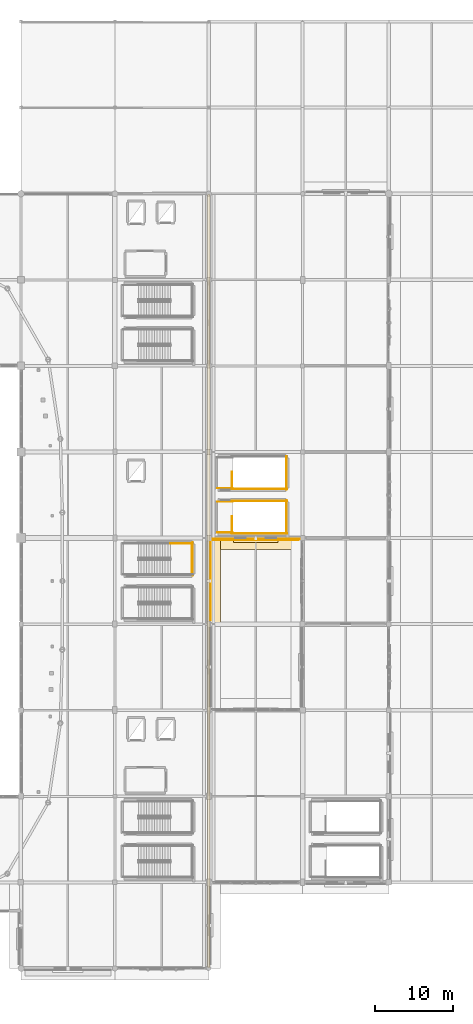
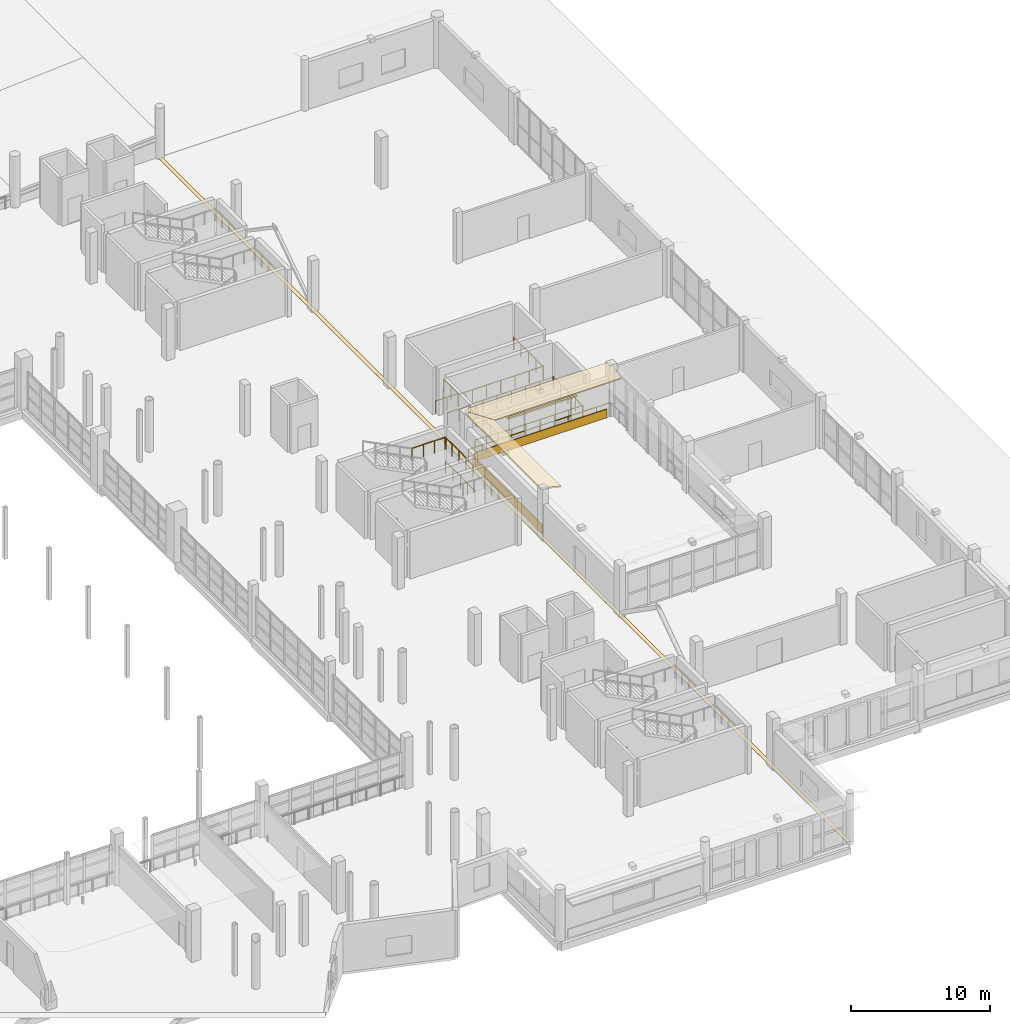
# One storey, part 115 of 118: 14 railings, 6 coverings.
"""IFC4 building model written with IfcOpenShell, lengths in metres."""

from ifc_helpers import new_model, si_unit, direction, frame, origin, origin_2d, place, context, subcontext, project, spatial, polyline, rectangle, circle, outline, extrude, material, layer, layer_set, type_object, element, save


model = new_model("IFC4")

# Units and contexts
model_context = context("Model", 3, precision=1e-05, world=origin(), true_north=direction((0.0, 1.0)))
body_context = subcontext(model_context, "Body", "Model", "MODEL_VIEW")
ifc_project = project(units=[si_unit("LENGTHUNIT", "METRE"), si_unit("AREAUNIT", "SQUARE_METRE"), si_unit("VOLUMEUNIT", "CUBIC_METRE"), si_unit("PLANEANGLEUNIT", "RADIAN"), si_unit("MASSUNIT", "GRAM", prefix="KILO")], contexts=[model_context])

# Site, building, storey
site_placement = place(None, origin())
site = spatial("IfcSite", under=ifc_project, at=site_placement, CompositionType="ELEMENT")
building_placement = place(site_placement, origin())
building = spatial("IfcBuilding", under=site, at=building_placement, Name="Luwafu Chhajja Arena", CompositionType="ELEMENT")
storey_placement = place(building_placement, frame((0.0, 0.0, 10.199951171875)))
storey = spatial("IfcBuildingStorey", under=building, at=storey_placement, Name="L02", CompositionType="ELEMENT", Elevation=10.199951171875)

# Coverings
ifc_material_1 = material(Name="Red laterite sandstone cladding", Category="masonry")
ifc_layer = layer(ifc_material_1, 0.074951171875, Name="Red laterite sandstone cladding")
ifc_layer_set = layer_set([ifc_layer], Name="Red laterite sandstone cladding")
covering_type = type_object("IfcCoveringType", Name="Dressed Red-Laterite Sandstone Cladding", PredefinedType="CLADDING", material=ifc_layer_set)
covering_1_placement = place(storey_placement, frame((164.0, 49.5, -0.02392578125), z_axis=(0.0, 0.0, 1.0), x_axis=(1.0, 0.0, 0.0)))
element("IfcCovering", 1, at=covering_1_placement, inside=storey, type_object=covering_type, Name="L02 Movement Joint MJ02 Flush Threshold Cover Plate 01", PredefinedType="CLADDING", context=body_context, shape_type="SweptSolid", body=[
    extrude(rectangle(XDim=0.320068359375, YDim=98.800048828125, at=origin_2d()), origin(), (0.0, 0.0, 1.0), 0.02392578125),
])
covering_2_placement = place(storey_placement, frame((163.800048828125, 44.0, 4.4599609375), z_axis=(0.242502450825, 0.0, 0.970150793096), x_axis=(0.0, 1.0, 0.0)))
element("IfcCovering", 2, at=covering_2_placement, inside=storey, type_object=covering_type, Name="L02 Continuous Sloped Sandstone Chhajja Eave 0164", PredefinedType="CLADDING", context=body_context, shape_type="SweptSolid", body=[
    extrude(outline(polyline([(0.0, 0.0), (11.0, 0.0), (11.0, -1.731619097341133), (0.0, -1.731619097341133), (0.0, 0.0)])), origin(), (0.0, 0.0, -1.0), 0.1298828125),
])
covering_3_placement = place(storey_placement, frame((164.23193359375, 49.5, 0.0), z_axis=(0.0, 0.0, 1.0), x_axis=(0.0, 1.0, 0.0)))
element("IfcCovering", 3, at=covering_3_placement, inside=storey, type_object=covering_type, Name="L02 Red-Laterite Sandstone Plinth Cladding 064", PredefinedType="CLADDING", context=body_context, shape_type="SweptSolid", body=[
    extrude(rectangle(XDim=9.9599609375, YDim=0.0849609375, at=origin_2d()), origin(), (0.0, 0.0, 1.0), 0.760009765625),
])
covering_4_placement = place(storey_placement, frame((164.0, 55.199951171875, 4.4599609375), z_axis=(0.0, -0.242502450825, 0.970150793096), x_axis=(1.0, 0.0, 0.0)))
element("IfcCovering", 4, at=covering_4_placement, inside=storey, type_object=covering_type, Name="L02 Continuous Sloped Sandstone Chhajja Eave 0167", PredefinedType="CLADDING", context=body_context, shape_type="SweptSolid", body=[
    extrude(outline(polyline([(0.0, 0.0), (12.0, 0.0), (12.0, -1.731619097341133), (0.0, -1.731619097341133), (0.0, 0.0)])), origin(), (0.0, 0.0, -1.0), 0.1298828125),
])
covering_5_placement = place(storey_placement, frame((170.0, 54.76806640625, 0.0), z_axis=(0.0, 0.0, 1.0), x_axis=(1.0, 0.0, 0.0)))
element("IfcCovering", 5, at=covering_5_placement, inside=storey, type_object=covering_type, Name="L02 Red-Laterite Sandstone Plinth Cladding 065", PredefinedType="CLADDING", context=body_context, shape_type="SweptSolid", body=[
    extrude(rectangle(XDim=10.9599609375, YDim=0.0849609375, at=origin_2d()), origin(), (0.0, 0.0, 1.0), 0.760009765625),
])
covering_6_placement = place(storey_placement, frame((170.0, 54.639892578125, 2.93017578125), z_axis=(0.0, 0.0, 1.0), x_axis=(1.0, 0.0, 0.0)))
element("IfcCovering", 6, at=covering_6_placement, inside=storey, type_object=covering_type, Name="L02 Mughal Sandstone Window Chhajja Hood 0061", PredefinedType="CLADDING", context=body_context, shape_type="SweptSolid", body=[
    extrude(rectangle(XDim=5.703369140625, YDim=0.419921875, at=origin_2d()), origin(), (0.0, 0.0, 1.0), 0.139892578125),
])

# Railings
ifc_material_2 = material(Name="Stainless steel balustrade", Category="steel")
railing_type = type_object("IfcRailingType", Name="Stair and Terrace Guard Balustrade 1100", PredefinedType="BALUSTRADE", material=ifc_material_2)
railing_1_placement = place(storey_placement, frame((159.10009765625, 54.300048828125, 2.25)))
element("IfcRailing", 7, at=railing_1_placement, inside=storey, type_object=railing_type, Name="L02 ST-12 stair guard 4", PredefinedType="BALUSTRADE", context=body_context, shape_type="SweptSolid", body=[
    extrude(circle(Radius=0.02392578125, at=origin_2d()), frame((0.0, 0.0, 1.076171875), z_axis=(1.0, 0.0, 0.0), x_axis=(0.0, 1.0, 0.0)), (0.0, 0.0, 1.0), 2.7998046875),
    extrude(circle(Radius=0.02099609375, at=origin_2d()), origin(), (0.0, 0.0, 1.0), 1.052001953125),
    extrude(circle(Radius=0.02099609375, at=origin_2d()), frame((0.933349609375, 0.0, 0.0)), (0.0, 0.0, 1.0), 1.052001953125),
    extrude(circle(Radius=0.02099609375, at=origin_2d()), frame((1.866455078125, 0.0, 0.0)), (0.0, 0.0, 1.0), 1.052001953125),
    extrude(circle(Radius=0.02099609375, at=origin_2d()), frame((2.7998046875, 0.0, 0.0)), (0.0, 0.0, 1.0), 1.052001953125),
])
railing_2_placement = place(storey_placement, frame((161.85009765625, 50.31005859375, 2.25)))
element("IfcRailing", 8, at=railing_2_placement, inside=storey, type_object=railing_type, Name="L02 ST-12 stair guard 5", PredefinedType="BALUSTRADE", context=body_context, shape_type="SweptSolid", body=[
    extrude(circle(Radius=0.02392578125, at=origin_2d()), frame((0.0, 0.0, 1.076171875), z_axis=(0.0, 1.0, 0.0), x_axis=(-1.0, 0.0, 0.0)), (0.0, 0.0, 1.0), 4.0400390625),
    extrude(circle(Radius=0.02099609375, at=origin_2d()), origin(), (0.0, 0.0, 1.0), 1.052001953125),
    extrude(circle(Radius=0.02099609375, at=origin_2d()), frame((0.0, 1.010009765625, 0.0)), (0.0, 0.0, 1.0), 1.052001953125),
    extrude(circle(Radius=0.02099609375, at=origin_2d()), frame((0.0, 2.02001953125, 0.0)), (0.0, 0.0, 1.0), 1.052001953125),
    extrude(circle(Radius=0.02099609375, at=origin_2d()), frame((0.0, 3.030029296875, 0.0)), (0.0, 0.0, 1.0), 1.052001953125),
    extrude(circle(Radius=0.02099609375, at=origin_2d()), frame((0.0, 4.0400390625, 0.0)), (0.0, 0.0, 1.0), 1.052001953125),
])
railing_3_placement = place(storey_placement, frame((161.949951171875, 50.2099609375, 0.0)))
element("IfcRailing", 9, at=railing_3_placement, inside=storey, type_object=railing_type, Name="L02 ST-12 stair guard 12", PredefinedType="BALUSTRADE", context=body_context, shape_type="SweptSolid", body=[
    extrude(circle(Radius=0.02392578125, at=origin_2d()), frame((0.0, 0.0, 1.076171875), z_axis=(0.0, 1.0, 0.0), x_axis=(-1.0, 0.0, 0.0)), (0.0, 0.0, 1.0), 4.239990234375),
    extrude(circle(Radius=0.02099609375, at=origin_2d()), origin(), (0.0, 0.0, 1.0), 1.052001953125),
    extrude(circle(Radius=0.02099609375, at=origin_2d()), frame((0.0, 1.06005859375, 0.0)), (0.0, 0.0, 1.0), 1.052001953125),
    extrude(circle(Radius=0.02099609375, at=origin_2d()), frame((0.0, 2.1201171875, 0.0)), (0.0, 0.0, 1.0), 1.052001953125),
    extrude(circle(Radius=0.02099609375, at=origin_2d()), frame((0.0, 3.179931640625, 0.0)), (0.0, 0.0, 1.0), 1.052001953125),
    extrude(circle(Radius=0.02099609375, at=origin_2d()), frame((0.0, 4.239990234375, 0.0)), (0.0, 0.0, 1.0), 1.052001953125),
])
railing_4_placement = place(storey_placement, frame((166.969970703125, 55.64990234375, 0.0)))
element("IfcRailing", 10, at=railing_4_placement, inside=storey, type_object=railing_type, Name="L02 ST-19 top well guard 1", PredefinedType="BALUSTRADE", context=body_context, shape_type="SweptSolid", body=[
    extrude(circle(Radius=0.02392578125, at=origin_2d()), frame((0.0, 0.0, 1.076171875), z_axis=(0.0, 1.0, 0.0), x_axis=(-1.0, 0.0, 0.0)), (0.0, 0.0, 1.0), 2.1201171875),
    extrude(circle(Radius=0.02099609375, at=origin_2d()), origin(), (0.0, 0.0, 1.0), 1.052001953125),
    extrude(circle(Radius=0.02099609375, at=origin_2d()), frame((0.0, 1.06005859375, 0.0)), (0.0, 0.0, 1.0), 1.052001953125),
    extrude(circle(Radius=0.02099609375, at=origin_2d()), frame((0.0, 2.1201171875, 0.0)), (0.0, 0.0, 1.0), 1.052001953125),
])
for number, where, name in (
    (11, (166.919921875, 55.60009765625, 0.0), "L02 ST-19 top well guard 2"),
    (12, (166.919921875, 59.739990234375, 0.0), "L02 ST-19 top well guard 3"),
):
    element("IfcRailing", number, at=place(storey_placement, frame(where)), inside=storey, type_object=railing_type, Name=name, PredefinedType="BALUSTRADE", context=body_context, shape_type="SweptSolid", body=[
        extrude(circle(Radius=0.02392578125, at=origin_2d()), frame((0.0, 0.0, 1.076171875), z_axis=(1.0, 0.0, 0.0), x_axis=(0.0, 1.0, 0.0)), (0.0, 0.0, 1.0), 7.080078125),
        extrude(circle(Radius=0.02099609375, at=origin_2d()), origin(), (0.0, 0.0, 1.0), 1.052001953125),
        extrude(circle(Radius=0.02099609375, at=origin_2d()), frame((1.179931640625, 0.0, 0.0)), (0.0, 0.0, 1.0), 1.052001953125),
        extrude(circle(Radius=0.02099609375, at=origin_2d()), frame((2.360107421875, 0.0, 0.0)), (0.0, 0.0, 1.0), 1.052001953125),
        extrude(circle(Radius=0.02099609375, at=origin_2d()), frame((3.5400390625, 0.0, 0.0)), (0.0, 0.0, 1.0), 1.052001953125),
        extrude(circle(Radius=0.02099609375, at=origin_2d()), frame((4.719970703125, 0.0, 0.0)), (0.0, 0.0, 1.0), 1.052001953125),
        extrude(circle(Radius=0.02099609375, at=origin_2d()), frame((5.900146484375, 0.0, 0.0)), (0.0, 0.0, 1.0), 1.052001953125),
        extrude(circle(Radius=0.02099609375, at=origin_2d()), frame((7.080078125, 0.0, 0.0)), (0.0, 0.0, 1.0), 1.052001953125),
    ])
railing_5_placement = place(storey_placement, frame((173.949951171875, 55.550048828125, 0.0)))
element("IfcRailing", 13, at=railing_5_placement, inside=storey, type_object=railing_type, Name="L02 ST-19 top well guard 4", PredefinedType="BALUSTRADE", context=body_context, shape_type="SweptSolid", body=[
    extrude(circle(Radius=0.02392578125, at=origin_2d()), frame((0.0, 0.0, 1.076171875), z_axis=(0.0, 1.0, 0.0), x_axis=(-1.0, 0.0, 0.0)), (0.0, 0.0, 1.0), 4.239990234375),
    extrude(circle(Radius=0.02099609375, at=origin_2d()), origin(), (0.0, 0.0, 1.0), 1.052001953125),
    extrude(circle(Radius=0.02099609375, at=origin_2d()), frame((0.0, 1.06005859375, 0.0)), (0.0, 0.0, 1.0), 1.052001953125),
    extrude(circle(Radius=0.02099609375, at=origin_2d()), frame((0.0, 2.1201171875, 0.0)), (0.0, 0.0, 1.0), 1.052001953125),
    extrude(circle(Radius=0.02099609375, at=origin_2d()), frame((0.0, 3.179931640625, 0.0)), (0.0, 0.0, 1.0), 1.052001953125),
    extrude(circle(Radius=0.02099609375, at=origin_2d()), frame((0.0, 4.239990234375, 0.0)), (0.0, 0.0, 1.0), 1.052001953125),
])
for number, where, name in (
    (14, (165.10009765625, 55.699951171875, 0.0), "L02 ST-19 top well guard 5"),
    (15, (165.10009765625, 59.639892578125, 0.0), "L02 ST-19 top well guard 6"),
):
    element("IfcRailing", number, at=place(storey_placement, frame(where)), inside=storey, type_object=railing_type, Name=name, PredefinedType="BALUSTRADE", context=body_context, shape_type="SweptSolid", body=[
        extrude(circle(Radius=0.02392578125, at=origin_2d()), frame((0.0, 0.0, 1.076171875), z_axis=(1.0, 0.0, 0.0), x_axis=(0.0, 1.0, 0.0)), (0.0, 0.0, 1.0), 1.919921875),
        extrude(circle(Radius=0.02099609375, at=origin_2d()), origin(), (0.0, 0.0, 1.0), 1.052001953125),
        extrude(circle(Radius=0.02099609375, at=origin_2d()), frame((0.9599609375, 0.0, 0.0)), (0.0, 0.0, 1.0), 1.052001953125),
        extrude(circle(Radius=0.02099609375, at=origin_2d()), frame((1.919921875, 0.0, 0.0)), (0.0, 0.0, 1.0), 1.052001953125),
    ])
railing_6_placement = place(storey_placement, frame((166.969970703125, 61.31005859375, 0.0)))
element("IfcRailing", 16, at=railing_6_placement, inside=storey, type_object=railing_type, Name="L02 ST-20 top well guard 1", PredefinedType="BALUSTRADE", context=body_context, shape_type="SweptSolid", body=[
    extrude(circle(Radius=0.02392578125, at=origin_2d()), frame((0.0, 0.0, 1.076171875), z_axis=(0.0, 1.0, 0.0), x_axis=(-1.0, 0.0, 0.0)), (0.0, 0.0, 1.0), 2.119873046875),
    extrude(circle(Radius=0.02099609375, at=origin_2d()), origin(), (0.0, 0.0, 1.0), 1.052001953125),
    extrude(circle(Radius=0.02099609375, at=origin_2d()), frame((0.0, 1.06005859375, 0.0)), (0.0, 0.0, 1.0), 1.052001953125),
    extrude(circle(Radius=0.02099609375, at=origin_2d()), frame((0.0, 2.119873046875, 0.0)), (0.0, 0.0, 1.0), 1.052001953125),
])
railing_7_placement = place(storey_placement, frame((166.919921875, 61.260009765625, 0.0)))
element("IfcRailing", 17, at=railing_7_placement, inside=storey, type_object=railing_type, Name="L02 ST-20 top well guard 2", PredefinedType="BALUSTRADE", context=body_context, shape_type="SweptSolid", body=[
    extrude(circle(Radius=0.02392578125, at=origin_2d()), frame((0.0, 0.0, 1.076171875), z_axis=(1.0, 0.0, 0.0), x_axis=(0.0, 1.0, 0.0)), (0.0, 0.0, 1.0), 7.080078125),
    extrude(circle(Radius=0.02099609375, at=origin_2d()), origin(), (0.0, 0.0, 1.0), 1.052001953125),
    extrude(circle(Radius=0.02099609375, at=origin_2d()), frame((1.179931640625, 0.0, 0.0)), (0.0, 0.0, 1.0), 1.052001953125),
    extrude(circle(Radius=0.02099609375, at=origin_2d()), frame((2.360107421875, 0.0, 0.0)), (0.0, 0.0, 1.0), 1.052001953125),
    extrude(circle(Radius=0.02099609375, at=origin_2d()), frame((3.5400390625, 0.0, 0.0)), (0.0, 0.0, 1.0), 1.052001953125),
    extrude(circle(Radius=0.02099609375, at=origin_2d()), frame((4.719970703125, 0.0, 0.0)), (0.0, 0.0, 1.0), 1.052001953125),
    extrude(circle(Radius=0.02099609375, at=origin_2d()), frame((5.900146484375, 0.0, 0.0)), (0.0, 0.0, 1.0), 1.052001953125),
    extrude(circle(Radius=0.02099609375, at=origin_2d()), frame((7.080078125, 0.0, 0.0)), (0.0, 0.0, 1.0), 1.052001953125),
])
railing_8_placement = place(storey_placement, frame((173.949951171875, 61.2099609375, 0.0)))
element("IfcRailing", 18, at=railing_8_placement, inside=storey, type_object=railing_type, Name="L02 ST-20 top well guard 4", PredefinedType="BALUSTRADE", context=body_context, shape_type="SweptSolid", body=[
    extrude(circle(Radius=0.02392578125, at=origin_2d()), frame((0.0, 0.0, 1.076171875), z_axis=(0.0, 1.0, 0.0), x_axis=(-1.0, 0.0, 0.0)), (0.0, 0.0, 1.0), 4.239990234375),
    extrude(circle(Radius=0.02099609375, at=origin_2d()), origin(), (0.0, 0.0, 1.0), 1.052001953125),
    extrude(circle(Radius=0.02099609375, at=origin_2d()), frame((0.0, 1.06005859375, 0.0)), (0.0, 0.0, 1.0), 1.052001953125),
    extrude(circle(Radius=0.02099609375, at=origin_2d()), frame((0.0, 2.1201171875, 0.0)), (0.0, 0.0, 1.0), 1.052001953125),
    extrude(circle(Radius=0.02099609375, at=origin_2d()), frame((0.0, 3.179931640625, 0.0)), (0.0, 0.0, 1.0), 1.052001953125),
    extrude(circle(Radius=0.02099609375, at=origin_2d()), frame((0.0, 4.239990234375, 0.0)), (0.0, 0.0, 1.0), 1.052001953125),
])
railing_9_placement = place(storey_placement, frame((165.10009765625, 61.360107421875, 0.0)))
element("IfcRailing", 19, at=railing_9_placement, inside=storey, type_object=railing_type, Name="L02 ST-20 top well guard 5", PredefinedType="BALUSTRADE", context=body_context, shape_type="SweptSolid", body=[
    extrude(circle(Radius=0.02392578125, at=origin_2d()), frame((0.0, 0.0, 1.076171875), z_axis=(1.0, 0.0, 0.0), x_axis=(0.0, 1.0, 0.0)), (0.0, 0.0, 1.0), 1.919921875),
    extrude(circle(Radius=0.02099609375, at=origin_2d()), origin(), (0.0, 0.0, 1.0), 1.052001953125),
    extrude(circle(Radius=0.02099609375, at=origin_2d()), frame((0.9599609375, 0.0, 0.0)), (0.0, 0.0, 1.0), 1.052001953125),
    extrude(circle(Radius=0.02099609375, at=origin_2d()), frame((1.919921875, 0.0, 0.0)), (0.0, 0.0, 1.0), 1.052001953125),
])
railing_10_placement = place(storey_placement, frame((175.89990234375, 54.89990234375, 0.0)))
element("IfcRailing", 20, at=railing_10_placement, inside=storey, type_object=railing_type, Name="L02 Podium Terrace Balustrade 0006", PredefinedType="BALUSTRADE", context=body_context, shape_type="SweptSolid", body=[
    extrude(circle(Radius=0.02392578125, at=origin_2d()), frame((0.0, 0.0, 1.09619140625), z_axis=(-1.0, 0.0, 0.0), x_axis=(0.0, -1.0, 0.0)), (0.0, 0.0, 1.0), 11.7998046875),
    extrude(circle(Radius=0.02099609375, at=origin_2d()), origin(), (0.0, 0.0, 1.0), 1.072021484375),
    extrude(circle(Radius=0.02099609375, at=origin_2d()), frame((-1.179931640625, 0.0, 0.0)), (0.0, 0.0, 1.0), 1.072021484375),
    extrude(circle(Radius=0.02099609375, at=origin_2d()), frame((-2.35986328125, 0.0, 0.0)), (0.0, 0.0, 1.0), 1.072021484375),
    extrude(circle(Radius=0.02099609375, at=origin_2d()), frame((-3.5400390625, 0.0, 0.0)), (0.0, 0.0, 1.0), 1.072021484375),
    extrude(circle(Radius=0.02099609375, at=origin_2d()), frame((-4.719970703125, 0.0, 0.0)), (0.0, 0.0, 1.0), 1.072021484375),
    extrude(circle(Radius=0.02099609375, at=origin_2d()), frame((-5.89990234375, 0.0, 0.0)), (0.0, 0.0, 1.0), 1.072021484375),
    extrude(circle(Radius=0.02099609375, at=origin_2d()), frame((-7.079833984375, 0.0, 0.0)), (0.0, 0.0, 1.0), 1.072021484375),
    extrude(circle(Radius=0.02099609375, at=origin_2d()), frame((-8.259765625, 0.0, 0.0)), (0.0, 0.0, 1.0), 1.072021484375),
    extrude(circle(Radius=0.02099609375, at=origin_2d()), frame((-9.43994140625, 0.0, 0.0)), (0.0, 0.0, 1.0), 1.072021484375),
    extrude(circle(Radius=0.02099609375, at=origin_2d()), frame((-10.619873046875, 0.0, 0.0)), (0.0, 0.0, 1.0), 1.072021484375),
    extrude(circle(Radius=0.02099609375, at=origin_2d()), frame((-11.7998046875, 0.0, 0.0)), (0.0, 0.0, 1.0), 1.072021484375),
])

save(model, "model.ifc")
